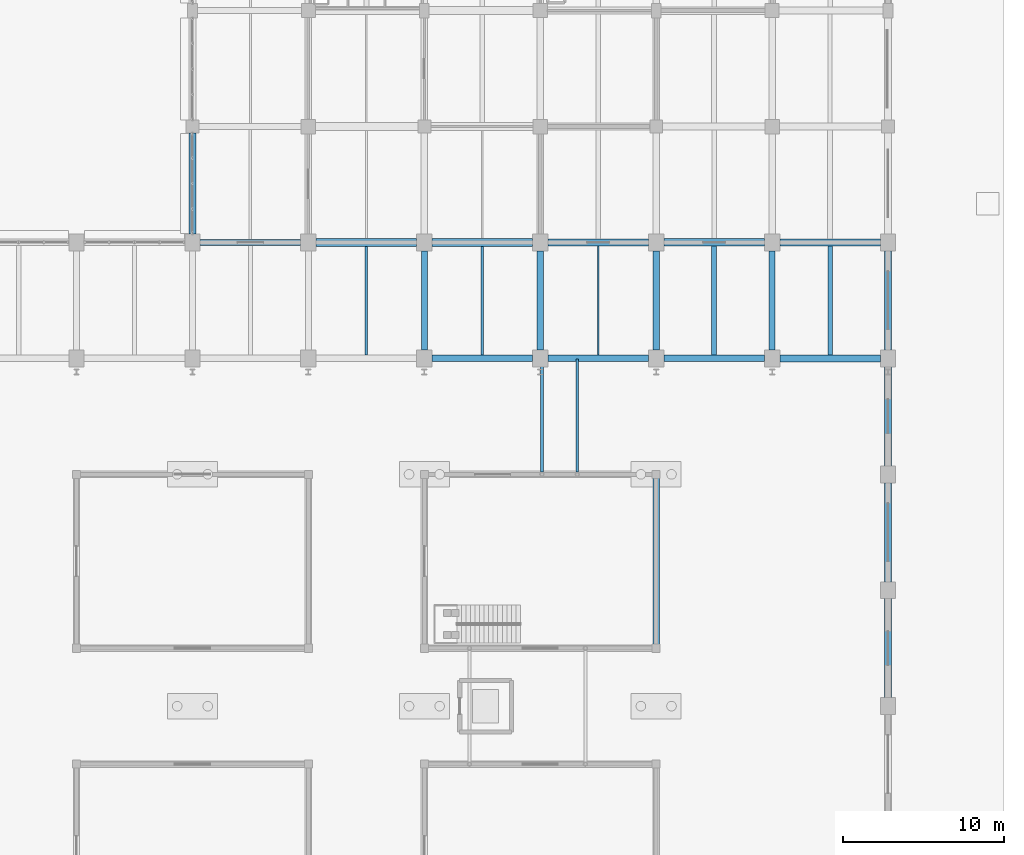
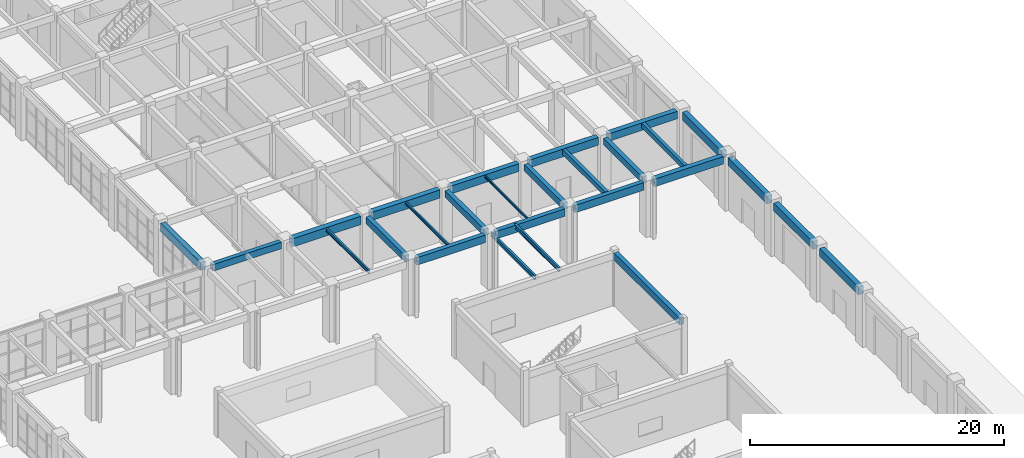
# One storey, part 94 of 160: 27 beams.
"""IFC4 building model written with IfcOpenShell, lengths in metres."""

from ifc_helpers import new_model, si_unit, direction, frame, origin, origin_2d, place, context, subcontext, project, spatial, rectangle, i_section, extrude, material, material_profile, profile_set, type_object, element, save


model = new_model("IFC4")

# Units and contexts
model_context = context("Model", 3, precision=1e-05, world=origin(), true_north=direction((0.0, 1.0)))
body_context = subcontext(model_context, "Body", "Model", "MODEL_VIEW")
ifc_project = project(units=[si_unit("LENGTHUNIT", "METRE"), si_unit("AREAUNIT", "SQUARE_METRE"), si_unit("VOLUMEUNIT", "CUBIC_METRE"), si_unit("PLANEANGLEUNIT", "RADIAN"), si_unit("MASSUNIT", "GRAM", prefix="KILO")], contexts=[model_context])

# Site, building, storey
site_placement = place(None, origin())
site = spatial("IfcSite", under=ifc_project, at=site_placement, CompositionType="ELEMENT")
building_placement = place(site_placement, origin())
building = spatial("IfcBuilding", under=site, at=building_placement, Name="Thalmaran Polytechnic", CompositionType="ELEMENT")
storey_placement = place(building_placement, origin())
storey = spatial("IfcBuildingStorey", under=building, at=storey_placement, Name="L00", CompositionType="ELEMENT", Elevation=0.0)

# Beams
ifc_material_1 = material(Name="Concrete C40/50", Category="concrete")
ifc_material_profile_1 = material_profile(ifc_material_1, rectangle(XDim=0.5, YDim=0.800048828125, at=origin_2d()), Name="RC 500x800")
ifc_profile_set_1 = profile_set([ifc_material_profile_1], Name="Concrete C40/50")
beam_type_1 = type_object("IfcBeamType", Name="BM-RC02", PredefinedType="BEAM", material=ifc_profile_set_1)
beam_1_placement = place(storey_placement, frame((137.27490234375, 57.60009765625, 4.68994140625), z_axis=(1.0, 0.0, 0.0), x_axis=(0.0, 1.0, 0.0)))
element("IfcBeam", 1, at=beam_1_placement, inside=storey, type_object=beam_type_1, Name="Grid Beam B02 L00 X(19,8)", PredefinedType="BEAM", context=body_context, shape_type="SweptSolid", body=[
    extrude(rectangle(XDim=0.5, YDim=0.800048828125, at=origin_2d()), origin(), (0.0, 0.0, 1.0), 6.25),
])
ifc_material_profile_2 = material_profile(ifc_material_1, rectangle(XDim=0.449951171875, YDim=0.75, at=origin_2d()), Name="RC 450x750")
ifc_profile_set_2 = profile_set([ifc_material_profile_2], Name="Concrete C40/50")
beam_type_2 = type_object("IfcBeamType", Name="BM-RC03", PredefinedType="BEAM", material=ifc_profile_set_2)
beam_2_placement = place(storey_placement, frame((151.675048828125, 57.60009765625, 4.715087890625), z_axis=(1.0, 0.0, 0.0), x_axis=(0.0, 1.0, 0.0)))
element("IfcBeam", 2, at=beam_2_placement, inside=storey, type_object=beam_type_2, Name="Grid Beam B03 L00 X(21,8)", PredefinedType="BEAM", context=body_context, shape_type="SweptSolid", body=[
    extrude(rectangle(XDim=0.449951171875, YDim=0.75, at=origin_2d()), origin(), (0.0, 0.0, 1.0), 6.25),
])
ifc_material_profile_3 = material_profile(ifc_material_1, rectangle(XDim=0.449951171875, YDim=0.72509765625, at=origin_2d()), Name="RC 450x725")
ifc_profile_set_3 = profile_set([ifc_material_profile_3], Name="Concrete C40/50")
beam_type_3 = type_object("IfcBeamType", Name="BM-RC04", PredefinedType="BEAM", material=ifc_profile_set_3)
for number, where, z_axis, x_axis, name in (
    (3, (166.074951171875, 50.39990234375, 4.7275390625), (1.0, 0.0, 0.0), (0.0, 1.0, 0.0), "Grid Beam B04 L00 X(23,7)"),
    (4, (166.074951171875, 57.60009765625, 4.7275390625), (1.0, 0.0, 0.0), (0.0, 1.0, 0.0), "Grid Beam B04 L00 X(23,8)"),
):
    element("IfcBeam", number, at=place(storey_placement, frame(where, z_axis=z_axis, x_axis=x_axis)), inside=storey, type_object=beam_type_3, Name=name, PredefinedType="BEAM", context=body_context, shape_type="SweptSolid", body=[
        extrude(rectangle(XDim=0.449951171875, YDim=0.72509765625, at=origin_2d()), origin(), (0.0, 0.0, 1.0), 6.25),
    ])
ifc_material_profile_4 = material_profile(ifc_material_1, rectangle(XDim=0.389892578125, YDim=0.68505859375, at=origin_2d()), Name="RC 390x685")
ifc_profile_set_4 = profile_set([ifc_material_profile_4], Name="Concrete C40/50")
beam_type_4 = type_object("IfcBeamType", Name="BM-RC08", PredefinedType="BEAM", material=ifc_profile_set_4)
beam_3_placement = place(storey_placement, frame((158.39990234375, 32.610107421875, 4.8125), z_axis=(0.0, 1.0, 0.0), x_axis=(-1.0, 0.0, 0.0)))
element("IfcBeam", 5, at=beam_3_placement, inside=storey, type_object=beam_type_4, Name="POD4 Edge Beam Y", PredefinedType="BEAM", context=body_context, shape_type="SweptSolid", body=[
    extrude(rectangle(XDim=0.389892578125, YDim=0.68505859375, at=origin_2d()), origin(), (0.0, 0.0, 1.0), 10.3798828125),
])
ifc_material_profile_5 = material_profile(ifc_material_1, rectangle(XDim=0.300048828125, YDim=0.5, at=origin_2d()), Name="RC 300x500")
ifc_profile_set_5 = profile_set([ifc_material_profile_5], Name="Concrete C40/50")
beam_type_5 = type_object("IfcBeamType", Name="BM-RC11", PredefinedType="JOIST", material=ifc_profile_set_5)
beam_4_placement = place(storey_placement, frame((162.0, 50.60009765625, 4.840087890625), z_axis=(0.0, 1.0, 0.0), x_axis=(-1.0, 0.0, 0.0)))
element("IfcBeam", 6, at=beam_4_placement, inside=storey, type_object=beam_type_5, Name="Secondary Floor Rib RB01 L00 (22,7)", PredefinedType="JOIST", context=body_context, shape_type="SweptSolid", body=[
    extrude(rectangle(XDim=0.300048828125, YDim=0.5, at=origin_2d()), origin(), (0.0, 0.0, 1.0), 6.77001953125),
])
ifc_material_2 = material(Name="Steel S355", Category="steel")
ifc_material_profile_6 = material_profile(ifc_material_2, i_section(OverallWidth=0.179931640625, OverallDepth=0.39990234375, WebThickness=0.008544921875, FlangeThickness=0.013427734375, at=origin_2d()), Name="IPE 400")
ifc_profile_set_6 = profile_set([ifc_material_profile_6], Name="Steel S355")
beam_type_6 = type_object("IfcBeamType", Name="BM-SJ01", PredefinedType="JOIST", material=ifc_profile_set_6)
for number, where, z_axis, x_axis, name in (
    (7, (151.300048828125, 43.340087890625, 4.955078125), (0.0, 1.0, 0.0), (-1.0, 0.0, 0.0), "Pod Bridge Steel Girder B2"),
    (8, (153.5, 43.340087890625, 4.955078125), (0.0, 1.0, 0.0), (-1.0, 0.0, 0.0), "Pod Bridge Steel Girder B2"),
):
    element("IfcBeam", number, at=place(storey_placement, frame(where, z_axis=z_axis, x_axis=x_axis)), inside=storey, type_object=beam_type_6, Name=name, PredefinedType="JOIST", context=body_context, shape_type="SweptSolid", body=[
        extrude(i_section(OverallWidth=0.179931640625, OverallDepth=0.39990234375, WebThickness=0.008544921875, FlangeThickness=0.013427734375, at=origin_2d()), origin(), (0.0, 0.0, 1.0), 7.010009765625),
    ])
ifc_material_profile_7 = material_profile(ifc_material_2, i_section(OverallWidth=0.159912109375, OverallDepth=0.330078125, WebThickness=0.007568359375, FlangeThickness=0.011474609375, at=origin_2d()), Name="IPE 330")
ifc_profile_set_7 = profile_set([ifc_material_profile_7], Name="Steel S355")
beam_type_7 = type_object("IfcBeamType", Name="BM-SJ02", PredefinedType="JOIST", material=ifc_profile_set_7)
beam_5_placement = place(storey_placement, frame((140.39990234375, 50.60009765625, 4.925048828125), z_axis=(0.0, 1.0, 0.0), x_axis=(-1.0, 0.0, 0.0)))
element("IfcBeam", 9, at=beam_5_placement, inside=storey, type_object=beam_type_7, Name="Secondary Floor Rib SJ02 L00 (19,7)", PredefinedType="JOIST", context=body_context, shape_type="SweptSolid", body=[
    extrude(i_section(OverallWidth=0.159912109375, OverallDepth=0.330078125, WebThickness=0.007568359375, FlangeThickness=0.011474609375, at=origin_2d()), origin(), (0.0, 0.0, 1.0), 6.75),
])
ifc_material_profile_8 = material_profile(ifc_material_2, i_section(OverallWidth=0.135009765625, OverallDepth=0.27001953125, WebThickness=0.006591796875, FlangeThickness=0.01025390625, at=origin_2d()), Name="IPE 270")
ifc_profile_set_8 = profile_set([ifc_material_profile_8], Name="Steel S355")
beam_type_8 = type_object("IfcBeamType", Name="BM-SJ03", PredefinedType="JOIST", material=ifc_profile_set_8)
beam_6_placement = place(storey_placement, frame((147.60009765625, 50.60009765625, 4.955078125), z_axis=(0.0, 1.0, 0.0), x_axis=(-1.0, 0.0, 0.0)))
element("IfcBeam", 10, at=beam_6_placement, inside=storey, type_object=beam_type_8, Name="Secondary Floor Rib SJ03 L00 (20,7)", PredefinedType="JOIST", context=body_context, shape_type="SweptSolid", body=[
    extrude(i_section(OverallWidth=0.135009765625, OverallDepth=0.27001953125, WebThickness=0.006591796875, FlangeThickness=0.01025390625, at=origin_2d()), origin(), (0.0, 0.0, 1.0), 6.760009765625),
])
ifc_material_profile_9 = material_profile(ifc_material_2, i_section(OverallWidth=0.110107421875, OverallDepth=0.219970703125, WebThickness=0.005859375, FlangeThickness=0.00927734375, at=origin_2d()), Name="IPE 220")
ifc_profile_set_9 = profile_set([ifc_material_profile_9], Name="Steel S355")
beam_type_9 = type_object("IfcBeamType", Name="BM-SJ04", PredefinedType="JOIST", material=ifc_profile_set_9)
beam_7_placement = place(storey_placement, frame((154.800048828125, 50.60009765625, 4.97998046875), z_axis=(0.0, 1.0, 0.0), x_axis=(-1.0, 0.0, 0.0)))
element("IfcBeam", 11, at=beam_7_placement, inside=storey, type_object=beam_type_9, Name="Secondary Floor Rib SJ04 L00 (21,7)", PredefinedType="JOIST", context=body_context, shape_type="SweptSolid", body=[
    extrude(i_section(OverallWidth=0.110107421875, OverallDepth=0.219970703125, WebThickness=0.005859375, FlangeThickness=0.00927734375, at=origin_2d()), origin(), (0.0, 0.0, 1.0), 6.77490234375),
])
ifc_material_profile_10 = material_profile(ifc_material_1, rectangle(XDim=0.39990234375, YDim=0.719970703125, at=origin_2d()), Name="RC 400x720")
ifc_profile_set_10 = profile_set([ifc_material_profile_10], Name="Concrete C40/50")
beam_type_10 = type_object("IfcBeamType", Name="BM-SP01", PredefinedType="SPANDREL", material=ifc_profile_set_10)
for number, where, z_axis, x_axis, name in (
    (12, (144.47509765625, 50.39990234375, 4.72998046875), (1.0, 0.0, 0.0), (0.0, 1.0, 0.0), "Grid Beam SP01 L00 X(20,7)"),
    (13, (151.675048828125, 50.39990234375, 4.72998046875), (1.0, 0.0, 0.0), (0.0, 1.0, 0.0), "Grid Beam SP01 L00 X(21,7)"),
    (14, (158.875, 50.39990234375, 4.72998046875), (1.0, 0.0, 0.0), (0.0, 1.0, 0.0), "Grid Beam SP01 L00 X(22,7)"),
):
    element("IfcBeam", number, at=place(storey_placement, frame(where, z_axis=z_axis, x_axis=x_axis)), inside=storey, type_object=beam_type_10, Name=name, PredefinedType="SPANDREL", context=body_context, shape_type="SweptSolid", body=[
        extrude(rectangle(XDim=0.39990234375, YDim=0.719970703125, at=origin_2d()), origin(), (0.0, 0.0, 1.0), 6.25),
    ])
ifc_material_profile_11 = material_profile(ifc_material_1, rectangle(XDim=0.449951171875, YDim=0.7548828125, at=origin_2d()), Name="RC 450x755")
ifc_profile_set_11 = profile_set([ifc_material_profile_11], Name="Concrete C40/50")
beam_type_11 = type_object("IfcBeamType", Name="BM-SP02", PredefinedType="SPANDREL", material=ifc_profile_set_11)
beam_8_placement = place(storey_placement, frame((129.60009765625, 58.125, 4.71240234375), z_axis=(0.0, 1.0, 0.0), x_axis=(-1.0, 0.0, 0.0)))
element("IfcBeam", 15, at=beam_8_placement, inside=storey, type_object=beam_type_11, Name="Grid Beam SP02 L00 Y(18,8)", PredefinedType="SPANDREL", context=body_context, shape_type="SweptSolid", body=[
    extrude(rectangle(XDim=0.449951171875, YDim=0.7548828125, at=origin_2d()), origin(), (0.0, 0.0, 1.0), 6.27490234375),
])
for number, where, z_axis, x_axis, name in (
    (16, (172.800048828125, 29.324951171875, 4.71240234375), (0.0, 1.0, 0.0), (-1.0, 0.0, 0.0), "Grid Beam SP02 L00 Y(24,4)"),
    (17, (172.800048828125, 36.52490234375, 4.71240234375), (0.0, 1.0, 0.0), (-1.0, 0.0, 0.0), "Grid Beam SP02 L00 Y(24,5)"),
):
    element("IfcBeam", number, at=place(storey_placement, frame(where, z_axis=z_axis, x_axis=x_axis)), inside=storey, type_object=beam_type_11, Name=name, PredefinedType="SPANDREL", context=body_context, shape_type="SweptSolid", body=[
        extrude(rectangle(XDim=0.449951171875, YDim=0.7548828125, at=origin_2d()), origin(), (0.0, 0.0, 1.0), 6.150146484375),
    ])
for number, where, z_axis, x_axis, name in (
    (18, (172.800048828125, 43.72509765625, 4.71240234375), (0.0, 1.0, 0.0), (-1.0, 0.0, 0.0), "Grid Beam SP02 L00 Y(24,6)"),
    (19, (172.800048828125, 50.925048828125, 4.71240234375), (0.0, 1.0, 0.0), (-1.0, 0.0, 0.0), "Grid Beam SP02 L00 Y(24,7)"),
):
    element("IfcBeam", number, at=place(storey_placement, frame(where, z_axis=z_axis, x_axis=x_axis)), inside=storey, type_object=beam_type_11, Name=name, PredefinedType="SPANDREL", context=body_context, shape_type="SweptSolid", body=[
        extrude(rectangle(XDim=0.449951171875, YDim=0.7548828125, at=origin_2d()), origin(), (0.0, 0.0, 1.0), 6.14990234375),
    ])
ifc_material_profile_12 = material_profile(ifc_material_1, rectangle(XDim=0.47998046875, YDim=0.780029296875, at=origin_2d()), Name="RC 480x780")
ifc_profile_set_12 = profile_set([ifc_material_profile_12], Name="Concrete C40/50")
beam_type_12 = type_object("IfcBeamType", Name="BM-ZB01", PredefinedType="BEAM", material=ifc_profile_set_12)
beam_9_placement = place(storey_placement, frame((144.47509765625, 57.60009765625, 4.699951171875), z_axis=(1.0, 0.0, 0.0), x_axis=(0.0, 1.0, 0.0)))
element("IfcBeam", 20, at=beam_9_placement, inside=storey, type_object=beam_type_12, Name="Grid Beam ZB01 L00 X(20,8)", PredefinedType="BEAM", context=body_context, shape_type="SweptSolid", body=[
    extrude(rectangle(XDim=0.47998046875, YDim=0.780029296875, at=origin_2d()), origin(), (0.0, 0.0, 1.0), 6.25),
])
ifc_material_profile_13 = material_profile(ifc_material_1, rectangle(XDim=0.4599609375, YDim=0.739990234375, at=origin_2d()), Name="RC 460x740")
ifc_profile_set_13 = profile_set([ifc_material_profile_13], Name="Concrete C40/50")
beam_type_13 = type_object("IfcBeamType", Name="BM-ZB02", PredefinedType="BEAM", material=ifc_profile_set_13)
beam_10_placement = place(storey_placement, frame((158.875, 57.60009765625, 4.719970703125), z_axis=(1.0, 0.0, 0.0), x_axis=(0.0, 1.0, 0.0)))
element("IfcBeam", 21, at=beam_10_placement, inside=storey, type_object=beam_type_13, Name="Grid Beam ZB02 L00 X(22,8)", PredefinedType="BEAM", context=body_context, shape_type="SweptSolid", body=[
    extrude(rectangle(XDim=0.4599609375, YDim=0.739990234375, at=origin_2d()), origin(), (0.0, 0.0, 1.0), 6.25),
])
ifc_material_profile_14 = material_profile(ifc_material_1, rectangle(XDim=0.3798828125, YDim=0.639892578125, at=origin_2d()), Name="RC 380x640")
ifc_profile_set_14 = profile_set([ifc_material_profile_14], Name="Concrete C40/50")
beam_type_14 = type_object("IfcBeamType", Name="BM-ZB05", PredefinedType="BEAM", material=ifc_profile_set_14)
beam_11_placement = place(storey_placement, frame((130.074951171875, 57.60009765625, 4.77001953125), z_axis=(1.0, 0.0, 0.0), x_axis=(0.0, 1.0, 0.0)))
element("IfcBeam", 22, at=beam_11_placement, inside=storey, type_object=beam_type_14, Name="Grid Beam ZB05 L00 X(18,8)", PredefinedType="BEAM", context=body_context, shape_type="SweptSolid", body=[
    extrude(rectangle(XDim=0.3798828125, YDim=0.639892578125, at=origin_2d()), origin(), (0.0, 0.0, 1.0), 6.25),
])
ifc_material_profile_15 = material_profile(ifc_material_1, rectangle(XDim=0.3798828125, YDim=0.635009765625, at=origin_2d()), Name="RC 380x635")
ifc_profile_set_15 = profile_set([ifc_material_profile_15], Name="Concrete C40/50")
beam_type_15 = type_object("IfcBeamType", Name="BM-ZB06", PredefinedType="BEAM", material=ifc_profile_set_15)
for number, where, z_axis, x_axis, name in (
    (23, (144.0, 50.925048828125, 4.7724609375), (0.0, 1.0, 0.0), (-1.0, 0.0, 0.0), "Grid Beam ZB06 L00 Y(20,7)"),
    (24, (151.199951171875, 50.925048828125, 4.7724609375), (0.0, 1.0, 0.0), (-1.0, 0.0, 0.0), "Grid Beam ZB06 L00 Y(21,7)"),
    (25, (158.39990234375, 50.925048828125, 4.7724609375), (0.0, 1.0, 0.0), (-1.0, 0.0, 0.0), "Grid Beam ZB06 L00 Y(22,7)"),
    (26, (165.60009765625, 50.925048828125, 4.7724609375), (0.0, 1.0, 0.0), (-1.0, 0.0, 0.0), "Grid Beam ZB06 L00 Y(23,7)"),
):
    element("IfcBeam", number, at=place(storey_placement, frame(where, z_axis=z_axis, x_axis=x_axis)), inside=storey, type_object=beam_type_15, Name=name, PredefinedType="BEAM", context=body_context, shape_type="SweptSolid", body=[
        extrude(rectangle(XDim=0.3798828125, YDim=0.635009765625, at=origin_2d()), origin(), (0.0, 0.0, 1.0), 6.14990234375),
    ])
ifc_material_profile_16 = material_profile(ifc_material_1, rectangle(XDim=0.280029296875, YDim=0.47998046875, at=origin_2d()), Name="RC 280x480")
ifc_profile_set_16 = profile_set([ifc_material_profile_16], Name="Concrete C40/50")
beam_type_16 = type_object("IfcBeamType", Name="BM-ZJ01", PredefinedType="JOIST", material=ifc_profile_set_16)
beam_12_placement = place(storey_placement, frame((169.199951171875, 50.625, 4.85009765625), z_axis=(0.0, 1.0, 0.0), x_axis=(-1.0, 0.0, 0.0)))
element("IfcBeam", 27, at=beam_12_placement, inside=storey, type_object=beam_type_16, Name="Secondary Floor Rib ZJ01 L00 (23,7)", PredefinedType="JOIST", context=body_context, shape_type="SweptSolid", body=[
    extrude(rectangle(XDim=0.280029296875, YDim=0.47998046875, at=origin_2d()), origin(), (0.0, 0.0, 1.0), 6.75),
])

save(model, "model.ifc")
